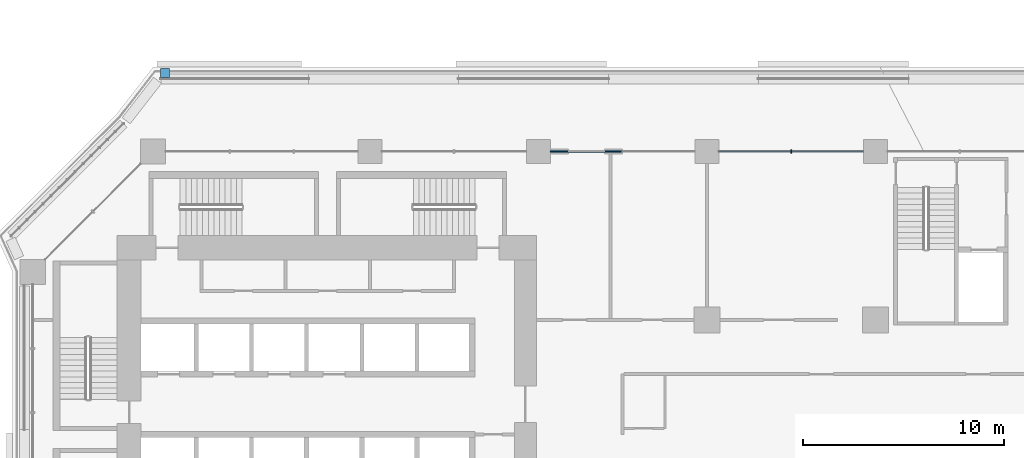
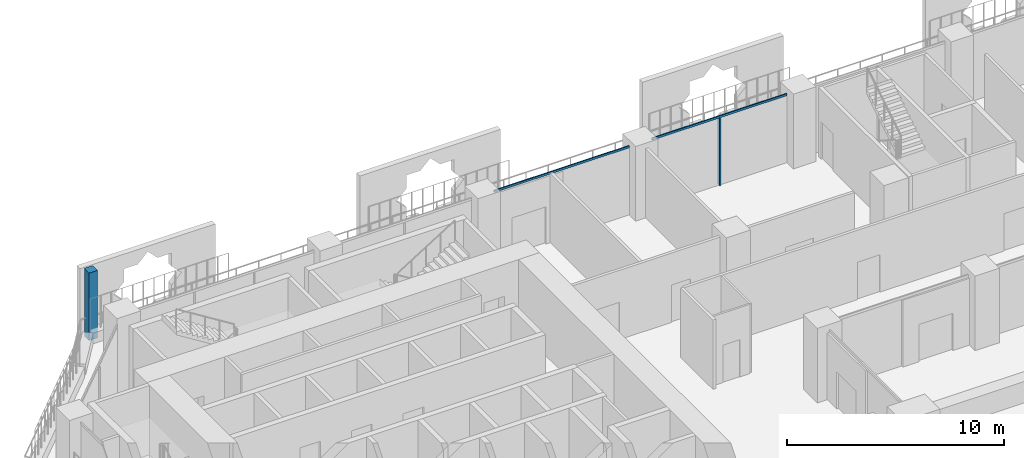
# One storey, part 8 of 27: 4 members, 2 elements without a shape of their own.
"""IFC4 building model written with IfcOpenShell, lengths in metres."""

from ifc_helpers import new_model, si_unit, direction, frame, origin, origin_2d, place, context, subcontext, project, spatial, rectangle, extrude, material, layer, layer_set, material_profile, profile_set, type_object, element, aggregate, save


model = new_model("IFC4")

# Units and contexts
model_context = context("Model", 3, precision=1e-05, world=origin(), true_north=direction((0.0, 1.0)))
body_context = subcontext(model_context, "Body", "Model", "MODEL_VIEW")
ifc_project = project(units=[si_unit("LENGTHUNIT", "METRE"), si_unit("AREAUNIT", "SQUARE_METRE"), si_unit("VOLUMEUNIT", "CUBIC_METRE"), si_unit("PLANEANGLEUNIT", "RADIAN"), si_unit("MASSUNIT", "GRAM", prefix="KILO")], contexts=[model_context])

# Site, building, storey
site_placement = place(None, origin())
site = spatial("IfcSite", under=ifc_project, at=site_placement, CompositionType="ELEMENT")
building_placement = place(site_placement, origin())
building = spatial("IfcBuilding", under=site, at=building_placement, Name="Kawkab Arch Medical Tower", CompositionType="ELEMENT")
storey_placement = place(building_placement, frame((0.0, 0.0, 39.199951171875)))
storey = spatial("IfcBuildingStorey", under=building, at=storey_placement, Name="L08", CompositionType="ELEMENT", Elevation=39.199951171875)

# Curtain wall, members
ifc_material_1 = material(Name="Bronze anodised aluminium curtain wall frame", Category="aluminium")
ifc_layer_1 = layer(ifc_material_1, 0.159912109375)
ifc_layer_set_1 = layer_set([ifc_layer_1], Name="Bronze anodised aluminium curtain wall frame")
curtain_wall_type_1 = type_object("IfcCurtainWallType", Name="CW1 ward curtain wall", PredefinedType="NOTDEFINED", material=ifc_layer_set_1)
placement = place(storey_placement, origin())
curtain_wall_1 = element("IfcCurtainWall", 1, at=placement, inside=storey, type_object=curtain_wall_type_1, Name="CW1 Ward curtain wall R09", PredefinedType="NOTDEFINED")
ifc_material_2 = material(Name="Bronze anodised aluminium curtain wall frame", Category="aluminium")
ifc_material_profile_1 = material_profile(ifc_material_2, rectangle(XDim=0.179931640625, YDim=0.06005859375, at=origin_2d()), Name="AL 60x180")
ifc_profile_set_1 = profile_set([ifc_material_profile_1], Name="Bronze anodised aluminium curtain wall frame")
member_type_1 = type_object("IfcMemberType", Name="CW1 mullion 60 x 180", PredefinedType="MULLION", material=ifc_profile_set_1)
member_1_placement = place(storey_placement, frame((37.800048828125, 0.0, 0.0), z_axis=(0.0, 0.0, 1.0), x_axis=(0.0, -1.0, 0.0)))
member_1 = element("IfcMember", 2, at=member_1_placement, type_object=member_type_1, Name="CW1 mullion 5.1", PredefinedType="MULLION", context=body_context, shape_type="SweptSolid", body=[
    extrude(rectangle(XDim=0.179931640625, YDim=0.06005859375, at=origin_2d()), origin(), (0.0, 0.0, 1.0), 3.780029296875),
])
ifc_material_3 = material(Name="Bronze anodised aluminium curtain wall frame", Category="aluminium")
ifc_material_profile_2 = material_profile(ifc_material_3, rectangle(XDim=0.06005859375, YDim=0.1201171875, at=origin_2d()), Name="AL 60x120")
ifc_profile_set_2 = profile_set([ifc_material_profile_2], Name="Bronze anodised aluminium curtain wall frame")
member_type_2 = type_object("IfcMemberType", Name="CW1 transom 120 x 60", PredefinedType="USERDEFINED", material=ifc_profile_set_2)
member_2_placement = place(storey_placement, frame((41.39990234375, 0.0, 3.840087890625), z_axis=(-1.0, 0.0, 0.0), x_axis=(0.0, -1.0, 0.0)))
member_2 = element("IfcMember", 3, at=member_2_placement, type_object=member_type_2, Name="CW1 transom 5", ObjectType="TRANSOM", PredefinedType="USERDEFINED", context=body_context, shape_type="SweptSolid", body=[
    extrude(rectangle(XDim=0.06005859375, YDim=0.1201171875, at=origin_2d()), origin(), (0.0, 0.0, 1.0), 7.199951171875),
])
member_3_placement = place(storey_placement, frame((33.0, 0.0, 3.840087890625), z_axis=(-1.0, 0.0, 0.0), x_axis=(0.0, -1.0, 0.0)))
member_3 = element("IfcMember", 4, at=member_3_placement, type_object=member_type_2, Name="CW1 transom 6", ObjectType="TRANSOM", PredefinedType="USERDEFINED", context=body_context, shape_type="SweptSolid", body=[
    extrude(rectangle(XDim=0.06005859375, YDim=0.1201171875, at=origin_2d()), origin(), (0.0, 0.0, 1.0), 7.199951171875),
])
aggregate(curtain_wall_1, [member_2, member_1, member_3])

# Curtain wall, member
ifc_material_4 = material(Name="Bronze anodised aluminium climber frame, planted", Category="aluminium")
ifc_layer_2 = layer(ifc_material_4, 0.449951171875)
ifc_layer_set_2 = layer_set([ifc_layer_2], Name="Bronze anodised aluminium climber frame, planted")
curtain_wall_type_2 = type_object("IfcCurtainWallType", Name="Planted climber frame", PredefinedType="NOTDEFINED", material=ifc_layer_set_2)
curtain_wall_2 = element("IfcCurtainWall", 5, at=placement, inside=storey, type_object=curtain_wall_type_2, Name="Planted climber frame L08", PredefinedType="NOTDEFINED")
ifc_material_5 = material(Name="Bronze anodised aluminium climber frame, planted", Category="aluminium")
ifc_material_profile_3 = material_profile(ifc_material_5, rectangle(XDim=0.449951171875, YDim=0.449951171875, at=origin_2d()), Name="Post 450x450")
ifc_profile_set_3 = profile_set([ifc_material_profile_3], Name="Bronze anodised aluminium climber frame, planted")
member_type_3 = type_object("IfcMemberType", Name="Planted climber post 450 x 450", PredefinedType="MULLION", material=ifc_profile_set_3)
member_4_placement = place(storey_placement, frame((6.596923828125, 3.89990234375, 0.0), z_axis=(0.0, 0.0, 1.0), x_axis=(1.0, 0.0, 0.0)))
member_4 = element("IfcMember", 6, at=member_4_placement, type_object=member_type_3, Name="Planted climber post L08.LOG-01-01.3", PredefinedType="MULLION", context=body_context, shape_type="SweptSolid", body=[
    extrude(rectangle(XDim=0.449951171875, YDim=0.449951171875, at=origin_2d()), origin(), (0.0, 0.0, 1.0), 3.800048828125),
])
aggregate(curtain_wall_2, [member_4])

save(model, "model.ifc")
